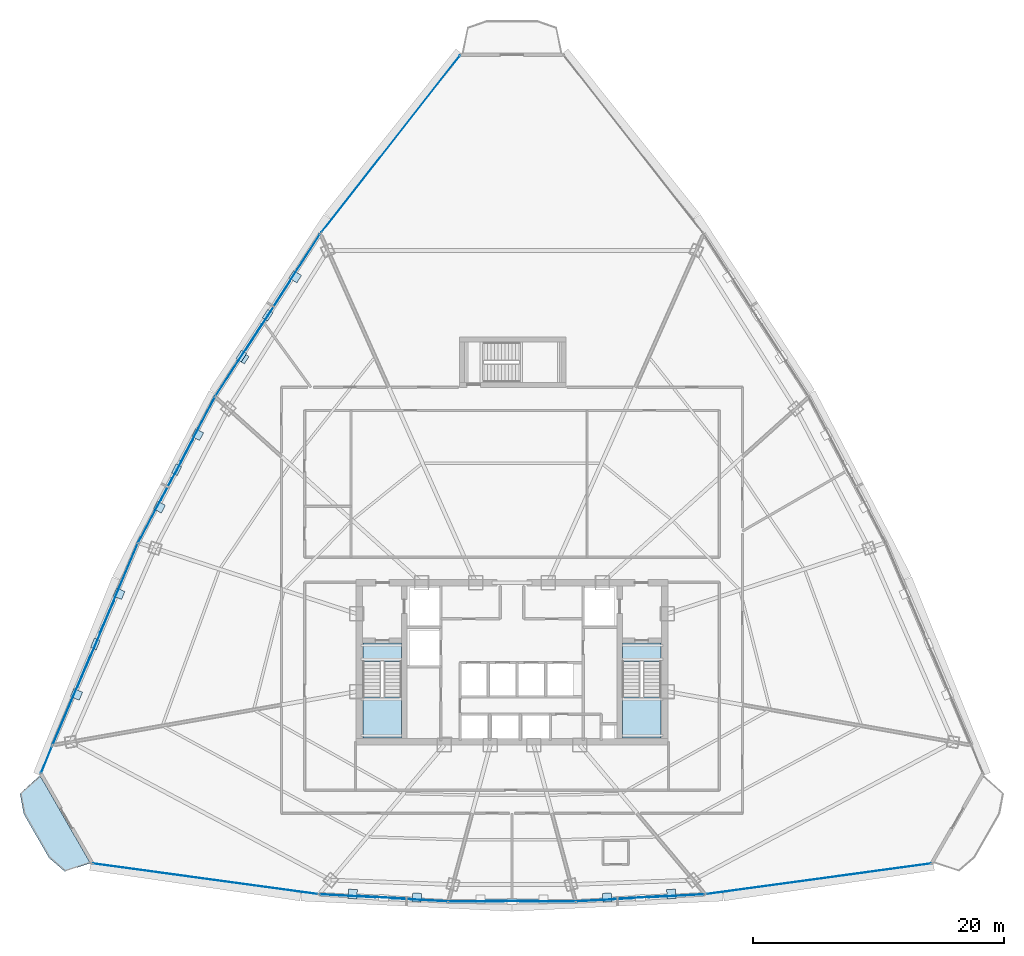
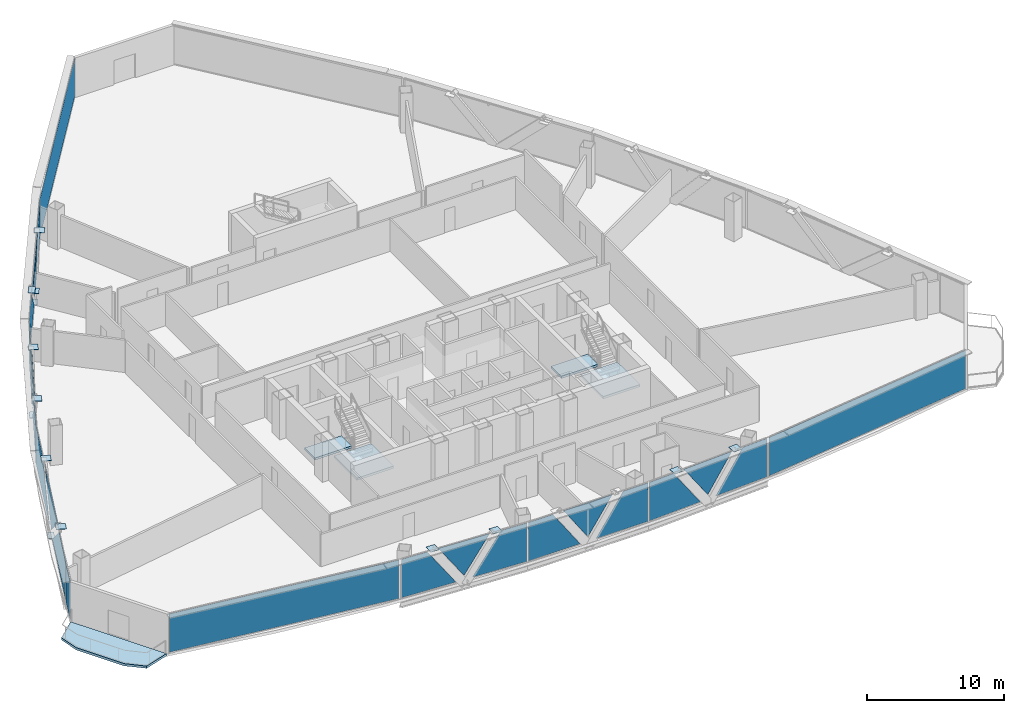
# One storey, part 27 of 36: 36 plates, 5 slabs, 12 elements without a shape of their own.
"""IFC4 building model written with IfcOpenShell, lengths in metres."""

from ifc_helpers import new_model, si_unit, direction, frame, origin, origin_2d, place, context, subcontext, project, spatial, polyline, rectangle, outline, extrude, source, transform, mapped, material, layer, layer_set, type_object, element, aggregate, save


model = new_model("IFC4")

# Units and contexts
model_context = context("Model", 3, precision=1e-05, world=origin(), true_north=direction((0.0, 1.0)))
body_context = subcontext(model_context, "Body", "Model", "MODEL_VIEW")
ifc_project = project(units=[si_unit("LENGTHUNIT", "METRE"), si_unit("AREAUNIT", "SQUARE_METRE"), si_unit("VOLUMEUNIT", "CUBIC_METRE"), si_unit("PLANEANGLEUNIT", "RADIAN"), si_unit("MASSUNIT", "GRAM", prefix="KILO"), si_unit("THERMODYNAMICTEMPERATUREUNIT", "KELVIN"), si_unit("POWERUNIT", "WATT")], contexts=[model_context])

# Site, building, storey
site_placement = place(None, origin())
site = spatial("IfcSite", under=ifc_project, at=site_placement, CompositionType="ELEMENT")
building_placement = place(site_placement, origin())
building = spatial("IfcBuilding", under=site, at=building_placement, Name="Yunzhuo Pagoda Commons", CompositionType="ELEMENT")
storey_placement = place(building_placement, frame((0.0, 0.0, 215.159912109375)))
storey = spatial("IfcBuildingStorey", under=building, at=storey_placement, Name="L54", CompositionType="ELEMENT", Elevation=215.159912109375)

# Curtain wall, plates
ifc_material_1 = material(Name="Anodized aluminium 6063-T6", Category="aluminium")
ifc_layer_1 = layer(ifc_material_1, 0.14990234375)
ifc_layer_set_1 = layer_set([ifc_layer_1], Name="Anodized aluminium 6063-T6")
curtain_wall_type = type_object("IfcCurtainWallType", Name="CW-MID Mid-Zone Ribbon Curtain Wall", PredefinedType="NOTDEFINED", material=ifc_layer_set_1)
curtain_wall_1_placement = place(storey_placement, origin())
curtain_wall_1 = element("IfcCurtainWall", 1, at=curtain_wall_1_placement, inside=storey, type_object=curtain_wall_type, Name="L54 curtain wall CW-L54-F1B2", PredefinedType="NOTDEFINED")
ifc_material_2 = material(Name="Tempered low-e double glazing", Category="glass")
ifc_layer_2 = layer(ifc_material_2, 0.028076171875)
ifc_layer_set_2 = layer_set([ifc_layer_2], Name="Tempered low-e double glazing")
plate_type_1 = type_object("IfcPlateType", Name="CW-MID-P Low-E Double Glazing 28", PredefinedType="CURTAIN_PANEL", material=ifc_layer_set_2)
plate_1_placement = place(storey_placement, frame((34.86767578125, 15.223388671875, 1.760009765625), z_axis=(-0.055641789149, -0.998450795633, 0.0), x_axis=(0.998450795633, -0.055641789149, 0.0)))
plate_1 = element("IfcPlate", 2, at=plate_1_placement, type_object=plate_type_1, Name="CW panel 1.1 lite 1", PredefinedType="CURTAIN_PANEL", context=body_context, shape_type="SweptSolid", body=[
    extrude(outline(polyline([(-2.219482421875, -1.705078125), (2.219482421875, -1.705078125), (-0.11474609375, 1.705078125), (-2.219482421875, 1.705078125), (-2.219482421875, -1.705078125)])), origin(), (0.0, 0.0, 1.0), 0.028076171875),
])
plate_2_placement = place(storey_placement, frame((37.760498046875, 15.09228515625, 1.93896484375), z_axis=(-0.055641789149, -0.998450795633, 0.0), x_axis=(0.998450795633, -0.055641789149, 0.0)))
plate_2 = element("IfcPlate", 3, at=plate_2_placement, type_object=plate_type_1, Name="CW panel 1.1 lite 2", PredefinedType="CURTAIN_PANEL", context=body_context, shape_type="SweptSolid", body=[
    extrude(outline(polyline([(-2.08935546875, 1.526123046875), (0.0, -1.526123046875), (2.08935546875, 1.526123046875), (-2.08935546875, 1.526123046875)])), origin(), (0.0, 0.0, 1.0), 0.028076171875),
])
plate_3_placement = place(storey_placement, frame((40.64990234375, 14.901123046875, 1.760009765625), z_axis=(-0.055641789149, -0.998450795633, 0.0), x_axis=(0.998450795633, -0.055641789149, 0.0)))
plate_3 = element("IfcPlate", 4, at=plate_3_placement, type_object=plate_type_1, Name="CW panel 1.1 lite 3", PredefinedType="CURTAIN_PANEL", context=body_context, shape_type="SweptSolid", body=[
    extrude(outline(polyline([(-2.219482421875, -1.705078125), (2.219482421875, -1.705078125), (2.219482421875, 1.705078125), (0.11474609375, 1.705078125), (-2.219482421875, -1.705078125)])), origin(), (0.0, 0.0, 1.0), 0.028076171875),
])
aggregate(curtain_wall_1, [plate_1, plate_2, plate_3])

curtain_wall_2_placement = place(storey_placement, origin())
curtain_wall_2 = element("IfcCurtainWall", 5, at=curtain_wall_2_placement, inside=storey, type_object=curtain_wall_type, Name="L54 curtain wall CW-L54-F1B3", PredefinedType="NOTDEFINED")
plate_4_placement = place(storey_placement, frame((45.157958984375, 14.7744140625, 1.760009765625), z_axis=(0.0, -1.0, 0.0), x_axis=(1.0, 0.0, 0.0)))
plate_4 = element("IfcPlate", 6, at=plate_4_placement, type_object=plate_type_1, Name="CW panel 1.1 lite 1", PredefinedType="CURTAIN_PANEL", context=body_context, shape_type="SweptSolid", body=[
    extrude(outline(polyline([(-2.1728515625, -1.705078125), (2.1728515625, -1.705078125), (-0.1162109375, 1.705078125), (-2.1728515625, 1.705078125), (-2.1728515625, -1.705078125)])), origin(), (0.0, 0.0, 1.0), 0.028076171875),
])
plate_5_placement = place(storey_placement, frame((48.0, 14.80419921875, 1.943603515625), z_axis=(0.0, -1.0, 0.0), x_axis=(1.0, 0.0, 0.0)))
plate_5 = element("IfcPlate", 7, at=plate_5_placement, type_object=plate_type_1, Name="CW panel 1.1 lite 2", PredefinedType="CURTAIN_PANEL", context=body_context, shape_type="SweptSolid", body=[
    extrude(outline(polyline([(-2.042724609375, 1.521484375), (0.0, -1.521484375), (2.042724609375, 1.521484375), (-2.042724609375, 1.521484375)])), origin(), (0.0, 0.0, 1.0), 0.028076171875),
])
plate_6_placement = place(storey_placement, frame((50.842041015625, 14.7744140625, 1.760009765625), z_axis=(0.0, -1.0, 0.0), x_axis=(1.0, 0.0, 0.0)))
plate_6 = element("IfcPlate", 8, at=plate_6_placement, type_object=plate_type_1, Name="CW panel 1.1 lite 3", PredefinedType="CURTAIN_PANEL", context=body_context, shape_type="SweptSolid", body=[
    extrude(outline(polyline([(-2.1728515625, -1.705078125), (2.1728515625, -1.705078125), (2.1728515625, 1.705078125), (0.1162109375, 1.705078125), (-2.1728515625, -1.705078125)])), origin(), (0.0, 0.0, 1.0), 0.028076171875),
])
aggregate(curtain_wall_2, [plate_4, plate_5, plate_6])

curtain_wall_3_placement = place(storey_placement, origin())
curtain_wall_3 = element("IfcCurtainWall", 9, at=curtain_wall_3_placement, inside=storey, type_object=curtain_wall_type, Name="L54 curtain wall CW-L54-F1B4", PredefinedType="NOTDEFINED")
plate_7_placement = place(storey_placement, frame((55.35009765625, 14.901123046875, 1.760009765625), z_axis=(0.055641789149, -0.998450795633, 0.0), x_axis=(0.998450795633, 0.055641789149, 0.0)))
plate_7 = element("IfcPlate", 10, at=plate_7_placement, type_object=plate_type_1, Name="CW panel 1.1 lite 1", PredefinedType="CURTAIN_PANEL", context=body_context, shape_type="SweptSolid", body=[
    extrude(outline(polyline([(-2.219482421875, -1.705078125), (2.219482421875, -1.705078125), (-0.11474609375, 1.705078125), (-2.219482421875, 1.705078125), (-2.219482421875, -1.705078125)])), origin(), (0.0, 0.0, 1.0), 0.028076171875),
])
plate_8_placement = place(storey_placement, frame((58.239501953125, 15.09228515625, 1.93896484375), z_axis=(0.055641789149, -0.998450795633, 0.0), x_axis=(0.998450795633, 0.055641789149, 0.0)))
plate_8 = element("IfcPlate", 11, at=plate_8_placement, type_object=plate_type_1, Name="CW panel 1.1 lite 2", PredefinedType="CURTAIN_PANEL", context=body_context, shape_type="SweptSolid", body=[
    extrude(outline(polyline([(-2.08935546875, 1.526123046875), (0.0, -1.526123046875), (2.08935546875, 1.526123046875), (-2.08935546875, 1.526123046875)])), origin(), (0.0, 0.0, 1.0), 0.028076171875),
])
plate_9_placement = place(storey_placement, frame((61.13232421875, 15.223388671875, 1.760009765625), z_axis=(0.055641789149, -0.998450795633, 0.0), x_axis=(0.998450795633, 0.055641789149, 0.0)))
plate_9 = element("IfcPlate", 12, at=plate_9_placement, type_object=plate_type_1, Name="CW panel 1.1 lite 3", PredefinedType="CURTAIN_PANEL", context=body_context, shape_type="SweptSolid", body=[
    extrude(outline(polyline([(-2.219482421875, -1.705078125), (2.219482421875, -1.705078125), (2.219482421875, 1.705078125), (0.11474609375, 1.705078125), (-2.219482421875, -1.705078125)])), origin(), (0.0, 0.0, 1.0), 0.028076171875),
])
aggregate(curtain_wall_3, [plate_7, plate_8, plate_9])

curtain_wall_4_placement = place(storey_placement, origin())
curtain_wall_4 = element("IfcCurtainWall", 13, at=curtain_wall_4_placement, inside=storey, type_object=curtain_wall_type, Name="L54 curtain wall CW-L54-F3B2", PredefinedType="NOTDEFINED")
plate_10_placement = place(storey_placement, frame((30.831787109375, 65.135986328125, 1.760009765625), z_axis=(-0.840138139518, 0.542372479508, 0.0), x_axis=(-0.542372479508, -0.840138139518, 0.0)))
plate_10 = element("IfcPlate", 14, at=plate_10_placement, type_object=plate_type_1, Name="CW panel 1.1 lite 1", PredefinedType="CURTAIN_PANEL", context=body_context, shape_type="SweptSolid", body=[
    extrude(outline(polyline([(-3.410400390625, -1.705078125), (3.410400390625, -1.705078125), (-0.084228515625, 1.705078125), (-3.410400390625, 1.705078125), (-3.410400390625, -1.705078125)])), origin(), (0.0, 0.0, 1.0), 0.028076171875),
])
plate_11_placement = place(storey_placement, frame((28.537109375, 61.5263671875, 1.8681640625), z_axis=(-0.840138139518, 0.542372479508, 0.0), x_axis=(-0.542372479508, -0.840138139518, 0.0)))
plate_11 = element("IfcPlate", 15, at=plate_11_placement, type_object=plate_type_1, Name="CW panel 1.1 lite 2", PredefinedType="CURTAIN_PANEL", context=body_context, shape_type="SweptSolid", body=[
    extrude(outline(polyline([(-3.273193359375, 1.596923828125), (0.0, -1.596923828125), (3.273193359375, 1.596923828125), (-3.273193359375, 1.596923828125)])), origin(), (0.0, 0.0, 1.0), 0.028076171875),
])
plate_12_placement = place(storey_placement, frame((26.192138671875, 57.94921875, 1.760009765625), z_axis=(-0.840138139518, 0.542372479508, 0.0), x_axis=(-0.542372479508, -0.840138139518, 0.0)))
plate_12 = element("IfcPlate", 16, at=plate_12_placement, type_object=plate_type_1, Name="CW panel 1.1 lite 3", PredefinedType="CURTAIN_PANEL", context=body_context, shape_type="SweptSolid", body=[
    extrude(outline(polyline([(-3.410400390625, -1.705078125), (3.410400390625, -1.705078125), (3.410400390625, 1.705078125), (0.084228515625, 1.705078125), (-3.410400390625, -1.705078125)])), origin(), (0.0, 0.0, 1.0), 0.028076171875),
])
aggregate(curtain_wall_4, [plate_10, plate_11, plate_12])

curtain_wall_5_placement = place(storey_placement, origin())
curtain_wall_5 = element("IfcCurtainWall", 17, at=curtain_wall_5_placement, inside=storey, type_object=curtain_wall_type, Name="L54 curtain wall CW-L54-F3B3", PredefinedType="NOTDEFINED")
plate_13_placement = place(storey_placement, frame((22.94384765625, 52.440673828125, 1.760009765625), z_axis=(-0.884704570243, 0.466152146184, 0.0), x_axis=(-0.466152146184, -0.884704570243, 0.0)))
plate_13 = element("IfcPlate", 18, at=plate_13_placement, type_object=plate_type_1, Name="CW panel 1.1 lite 1", PredefinedType="CURTAIN_PANEL", context=body_context, shape_type="SweptSolid", body=[
    extrude(outline(polyline([(-2.8720703125, -1.705078125), (2.8720703125, -1.705078125), (-0.096923828125, 1.705078125), (-2.8720703125, 1.705078125), (-2.8720703125, -1.705078125)])), origin(), (0.0, 0.0, 1.0), 0.028076171875),
])
plate_14_placement = place(storey_placement, frame((21.26904296875, 49.197509765625, 1.89208984375), z_axis=(-0.884704570243, 0.466152146184, 0.0), x_axis=(-0.466152146184, -0.884704570243, 0.0)))
plate_14 = element("IfcPlate", 19, at=plate_14_placement, type_object=plate_type_1, Name="CW panel 1.1 lite 2", PredefinedType="CURTAIN_PANEL", context=body_context, shape_type="SweptSolid", body=[
    extrude(outline(polyline([(-2.7392578125, 1.572998046875), (0.0, -1.572998046875), (2.7392578125, 1.572998046875), (-2.7392578125, 1.572998046875)])), origin(), (0.0, 0.0, 1.0), 0.028076171875),
])
plate_15_placement = place(storey_placement, frame((19.541015625, 45.982421875, 1.760009765625), z_axis=(-0.884704570243, 0.466152146184, 0.0), x_axis=(-0.466152146184, -0.884704570243, 0.0)))
plate_15 = element("IfcPlate", 20, at=plate_15_placement, type_object=plate_type_1, Name="CW panel 1.1 lite 3", PredefinedType="CURTAIN_PANEL", context=body_context, shape_type="SweptSolid", body=[
    extrude(outline(polyline([(-2.8720703125, -1.705078125), (2.8720703125, -1.705078125), (2.8720703125, 1.705078125), (0.0966796875, 1.705078125), (-2.8720703125, -1.705078125)])), origin(), (0.0, 0.0, 1.0), 0.028076171875),
])
aggregate(curtain_wall_5, [plate_13, plate_14, plate_15])

curtain_wall_6_placement = place(storey_placement, origin())
curtain_wall_6 = element("IfcCurtainWall", 21, at=curtain_wall_6_placement, inside=storey, type_object=curtain_wall_type, Name="L54 curtain wall CW-L54-F3B4", PredefinedType="NOTDEFINED")
plate_16_placement = place(storey_placement, frame((16.638427734375, 39.7578125, 1.760009765625), z_axis=(-0.920979205321, 0.389611734123, 0.0), x_axis=(-0.389611734123, -0.920979205321, 0.0)))
plate_16 = element("IfcPlate", 22, at=plate_16_placement, type_object=plate_type_1, Name="CW panel 1.1 lite 1", PredefinedType="CURTAIN_PANEL", context=body_context, shape_type="SweptSolid", body=[
    extrude(outline(polyline([(-3.88330078125, -1.705078125), (3.88330078125, -1.705078125), (-0.07470703125, 1.705078125), (-3.88330078125, 1.705078125), (-3.88330078125, -1.705078125)])), origin(), (0.0, 0.0, 1.0), 0.028076171875),
])
plate_17_placement = place(storey_placement, frame((14.783935546875, 35.297119140625, 1.853271484375), z_axis=(-0.920979205321, 0.389611734123, 0.0), x_axis=(-0.389611734123, -0.920979205321, 0.0)))
plate_17 = element("IfcPlate", 23, at=plate_17_placement, type_object=plate_type_1, Name="CW panel 1.1 lite 2", PredefinedType="CURTAIN_PANEL", context=body_context, shape_type="SweptSolid", body=[
    extrude(outline(polyline([(-3.7412109375, 1.61181640625), (0.0, -1.61181640625), (3.7412109375, 1.61181640625), (-3.7412109375, 1.61181640625)])), origin(), (0.0, 0.0, 1.0), 0.028076171875),
])
plate_18_placement = place(storey_placement, frame((12.8740234375, 30.859375, 1.760009765625), z_axis=(-0.920979205321, 0.389611734123, 0.0), x_axis=(-0.389611734123, -0.920979205321, 0.0)))
plate_18 = element("IfcPlate", 24, at=plate_18_placement, type_object=plate_type_1, Name="CW panel 1.1 lite 3", PredefinedType="CURTAIN_PANEL", context=body_context, shape_type="SweptSolid", body=[
    extrude(outline(polyline([(-3.88330078125, -1.705078125), (3.88330078125, -1.705078125), (3.88330078125, 1.705078125), (0.074462890625, 1.705078125), (-3.88330078125, -1.705078125)])), origin(), (0.0, 0.0, 1.0), 0.028076171875),
])
aggregate(curtain_wall_6, [plate_16, plate_17, plate_18])

# Slab
ifc_material_3 = material(Name="Concrete C40", Category="concrete")
ifc_layer_3 = layer(ifc_material_3, 0.199951171875)
ifc_layer_set_3 = layer_set([ifc_layer_3], Name="Concrete C40")
slab_type_1 = type_object("IfcSlabType", Name="SL-BAL Vertex Balcony Deck Slab 200", PredefinedType="FLOOR", material=ifc_layer_set_3)
slab_1_placement = place(storey_placement, frame((0.0, 0.0, -0.199951171875)))
element("IfcSlab", 25, at=slab_1_placement, inside=storey, type_object=slab_type_1, Name="L54 corner balcony V1", PredefinedType="FLOOR", context=body_context, shape_type="SweptSolid", body=[
    extrude(outline(polyline([(10.322998046875, 24.81298828125), (14.3427734375, 17.8125), (12.3017578125, 17.159423828125), (11.0439453125, 18.24560546875), (9.0341796875, 21.745849609375), (8.730224609375, 23.379638671875), (10.322998046875, 24.81298828125)])), origin(), (0.0, 0.0, 1.0), 0.199951171875),
])

# Stair, slabs
stair_type_1 = type_object("IfcStairType", Name="ST-C1 Core Smokeproof Stair ST1", PredefinedType="HALF_TURN_STAIR", material=ifc_material_3)
stair_1_placement = place(storey_placement, origin())
stair_1 = element("IfcStair", 26, at=stair_1_placement, inside=storey, type_object=stair_type_1, Name="L54 Core smokeproof stair ST1", PredefinedType="HALF_TURN_STAIR")
ifc_layer_4 = layer(ifc_material_3, 0.199951171875)
ifc_layer_set_4 = layer_set([ifc_layer_4], Name="Concrete C40")
slab_type_2 = type_object("IfcSlabType", Name="SL-LND1 Stair Landing Slab 200", PredefinedType="LANDING", material=ifc_layer_set_4)
slab_2_placement = place(storey_placement, frame((0.0, 0.0, 1.7001953125)))
slab_2 = element("IfcSlab", 27, at=slab_2_placement, type_object=slab_type_2, Name="ST1 landing 1", PredefinedType="LANDING", context=body_context, shape_type="SweptSolid", body=[
    extrude(outline(polyline([(36.10009765625, 31.10009765625), (36.10009765625, 27.800048828125), (39.199951171875, 27.800048828125), (39.199951171875, 31.10009765625), (36.10009765625, 31.10009765625)])), origin(), (0.0, 0.0, 1.0), 0.199951171875),
])
slab_3_placement = place(storey_placement, frame((0.0, 0.0, -0.199951171875)))
slab_3 = element("IfcSlab", 28, at=slab_3_placement, type_object=slab_type_2, Name="ST1 floor landing L54", PredefinedType="LANDING", context=body_context, shape_type="SweptSolid", body=[
    extrude(outline(polyline([(36.10009765625, 35.39990234375), (36.10009765625, 33.89990234375), (39.199951171875, 33.89990234375), (39.199951171875, 35.39990234375), (36.10009765625, 35.39990234375)])), origin(), (0.0, 0.0, 1.0), 0.199951171875),
])
aggregate(stair_1, [slab_2, slab_3])

stair_type_2 = type_object("IfcStairType", Name="ST-C2 Core Smokeproof Stair ST2", PredefinedType="HALF_TURN_STAIR", material=ifc_material_3)
stair_2_placement = place(storey_placement, origin())
stair_2 = element("IfcStair", 29, at=stair_2_placement, inside=storey, type_object=stair_type_2, Name="L54 Core smokeproof stair ST2", PredefinedType="HALF_TURN_STAIR")
ifc_layer_5 = layer(ifc_material_3, 0.201904296875)
ifc_layer_set_5 = layer_set([ifc_layer_5], Name="Concrete C40")
slab_type_3 = type_object("IfcSlabType", Name="SL-LND2 Stair Landing Slab 202", PredefinedType="LANDING", material=ifc_layer_set_5)
slab_4_placement = place(storey_placement, frame((0.0, 0.0, 1.7001953125)))
slab_4 = element("IfcSlab", 30, at=slab_4_placement, type_object=slab_type_3, Name="ST2 landing 1", PredefinedType="LANDING", context=body_context, shape_type="SweptSolid", body=[
    extrude(outline(polyline([(56.800048828125, 31.10009765625), (56.800048828125, 27.800048828125), (59.89990234375, 27.800048828125), (59.89990234375, 31.10009765625), (56.800048828125, 31.10009765625)])), origin(), (0.0, 0.0, 1.0), 0.199951171875),
])
slab_5_placement = place(storey_placement, frame((0.0, 0.0, -0.199951171875)))
slab_5 = element("IfcSlab", 31, at=slab_5_placement, type_object=slab_type_3, Name="ST2 floor landing L54", PredefinedType="LANDING", context=body_context, shape_type="SweptSolid", body=[
    extrude(outline(polyline([(56.800048828125, 35.39990234375), (56.800048828125, 33.89990234375), (59.89990234375, 33.89990234375), (59.89990234375, 35.39990234375), (56.800048828125, 35.39990234375)])), origin(), (0.0, 0.0, 1.0), 0.199951171875),
])
aggregate(stair_2, [slab_4, slab_5])

# Plates
ifc_material_4 = material(Name="Structural steel Q355B", Category="steel")
ifc_layer_6 = layer(ifc_material_4, 0.028076171875)
ifc_layer_set_6 = layer_set([ifc_layer_6], Name="Structural steel Q355B")
plate_type_2 = type_object("IfcPlateType", Name="SP-ND1 Lattice Node Cap Plate 800x500x28", PredefinedType="USERDEFINED", material=ifc_layer_set_6)
shared_shape_1 = source(origin(), body_context, "Body", "SweptSolid", [
    extrude(rectangle(XDim=0.800048828125, YDim=0.5, at=origin_2d()), origin(), (0.0, 0.0, 1.0), 0.028076171875),
])
for number, where, z_axis, x_axis, name in (
    (32, (28.500244140625, 61.55029296875, -0.27392578125), (0.0, 0.0, 1.0), (-0.542368222605, -0.840140887654, 0.0), "L54 diamond node plate F3.1A"),
    (33, (21.22998046875, 49.218017578125, -0.27392578125), (0.0, 0.0, 1.0), (-0.466155041602, -0.884703044636, 0.0), "L54 diamond node plate F3.2A"),
    (34, (14.7431640625, 35.314208984375, -0.27392578125), (0.0, 0.0, 1.0), (-0.389606228328, -0.920981534477, 0.0), "L54 diamond node plate F3.3A"),
):
    element("IfcPlate", number, at=place(storey_placement, frame(where, z_axis=z_axis, x_axis=x_axis)), inside=storey, type_object=plate_type_2, Name=name, ObjectType="STIFFENER_PLATE", PredefinedType="USERDEFINED", context=body_context, shape_type="MappedRepresentation", body=[
        mapped(shared_shape_1, transform((0.0, 0.0, 0.0), scale=1.0)),
    ])
ifc_layer_7 = layer(ifc_material_4, 0.028076171875)
ifc_layer_set_7 = layer_set([ifc_layer_7], Name="Structural steel Q355B")
plate_type_3 = type_object("IfcPlateType", Name="EP-DL1 Diamond Brace End Plate 800x500x28", PredefinedType="USERDEFINED", material=ifc_layer_set_7)
plate_19_placement = place(storey_placement, frame((26.399169921875, 58.295654296875, 3.51806640625), z_axis=(0.0, 0.0, 1.0), x_axis=(-0.542368222605, -0.840140887654, 0.0)))
element("IfcPlate", 35, at=plate_19_placement, inside=storey, type_object=plate_type_3, Name="L54 diamond brace end plate F3.1R", ObjectType="END_PLATE", PredefinedType="USERDEFINED", context=body_context, shape_type="MappedRepresentation", body=[
    mapped(shared_shape_1, transform((0.0, 0.0, 0.0), scale=1.0)),
])
shared_shape_2 = source(origin(), body_context, "Body", "SweptSolid", [
    extrude(rectangle(XDim=0.699951171875, YDim=0.749267578125, at=origin_2d()), origin(), (0.0, 0.0, 1.0), 0.035888671875),
])
for number, where, z_axis, x_axis, name in (
    (36, (35.2880859375, 15.3564453125, 3.48193359375), (0.0, 0.0, 1.0), (0.998450491665, -0.055647243357, 0.0), "L54 setback lattice tie plate F1.1L"),
    (37, (60.7119140625, 15.3564453125, 3.48193359375), (0.0, 0.0, 1.0), (0.998450491665, 0.055647243357, 0.0), "L54 setback lattice tie plate F1.3R"),
):
    element("IfcPlate", number, at=place(storey_placement, frame(where, z_axis=z_axis, x_axis=x_axis)), inside=storey, type_object=plate_type_2, Name=name, ObjectType="STIFFENER_PLATE", PredefinedType="USERDEFINED", context=body_context, shape_type="MappedRepresentation", body=[
        mapped(shared_shape_2, transform((0.0, 0.0, 0.0), scale=1.0)),
    ])
shared_shape_3 = source(origin(), body_context, "Body", "SweptSolid", [
    extrude(rectangle(XDim=0.699951171875, YDim=0.711181640625, at=origin_2d()), origin(), (0.0, 0.0, 1.0), 0.035888671875),
])
for number, where, z_axis, x_axis, name in (
    (38, (40.40966796875, 15.071533203125, 3.48193359375), (0.0, 0.0, 1.0), (0.998450491665, -0.055647243357, 0.0), "L54 setback lattice tie plate F1.1R"),
    (39, (55.59033203125, 15.071533203125, 3.48193359375), (0.0, 0.0, 1.0), (0.998450491665, 0.055647243357, 0.0), "L54 setback lattice tie plate F1.3L"),
):
    element("IfcPlate", number, at=place(storey_placement, frame(where, z_axis=z_axis, x_axis=x_axis)), inside=storey, type_object=plate_type_2, Name=name, ObjectType="STIFFENER_PLATE", PredefinedType="USERDEFINED", context=body_context, shape_type="MappedRepresentation", body=[
        mapped(shared_shape_3, transform((0.0, 0.0, 0.0), scale=1.0)),
    ])
shared_shape_4 = source(origin(), body_context, "Body", "SweptSolid", [
    extrude(rectangle(XDim=0.699951171875, YDim=0.763427734375, at=origin_2d()), origin(), (0.0, 0.0, 1.0), 0.035888671875),
])
plate_20_placement = place(storey_placement, frame((13.239990234375, 31.288330078125, 3.48193359375), z_axis=(0.0, 0.0, 1.0), x_axis=(-0.389606228328, -0.920981534477, 0.0)))
element("IfcPlate", 40, at=plate_20_placement, inside=storey, type_object=plate_type_2, Name="L54 setback lattice tie plate F3.3R", ObjectType="STIFFENER_PLATE", PredefinedType="USERDEFINED", context=body_context, shape_type="MappedRepresentation", body=[
    mapped(shared_shape_4, transform((0.0, 0.0, 0.0), scale=1.0)),
])
shared_shape_5 = source(origin(), body_context, "Body", "SweptSolid", [
    extrude(rectangle(XDim=0.699951171875, YDim=0.72314453125, at=origin_2d()), origin(), (0.0, 0.0, 1.0), 0.035888671875),
])
plate_21_placement = place(storey_placement, frame((16.63623046875, 39.322265625, 3.48193359375), z_axis=(0.0, 0.0, 1.0), x_axis=(-0.389606228328, -0.920981534477, 0.0)))
element("IfcPlate", 41, at=plate_21_placement, inside=storey, type_object=plate_type_2, Name="L54 setback lattice tie plate F3.3L", ObjectType="STIFFENER_PLATE", PredefinedType="USERDEFINED", context=body_context, shape_type="MappedRepresentation", body=[
    mapped(shared_shape_5, transform((0.0, 0.0, 0.0), scale=1.0)),
])
shared_shape_6 = source(origin(), body_context, "Body", "SweptSolid", [
    extrude(rectangle(XDim=0.699951171875, YDim=0.70703125, at=origin_2d()), origin(), (0.0, 0.0, 1.0), 0.035888671875),
])
plate_22_placement = place(storey_placement, frame((19.859130859375, 46.234130859375, 3.48193359375), z_axis=(0.0, 0.0, 1.0), x_axis=(-0.466155041602, -0.884703044636, 0.0)))
element("IfcPlate", 42, at=plate_22_placement, inside=storey, type_object=plate_type_2, Name="L54 setback lattice tie plate F3.2R", ObjectType="STIFFENER_PLATE", PredefinedType="USERDEFINED", context=body_context, shape_type="MappedRepresentation", body=[
    mapped(shared_shape_6, transform((0.0, 0.0, 0.0), scale=1.0)),
])
shared_shape_7 = source(origin(), body_context, "Body", "SweptSolid", [
    extrude(rectangle(XDim=0.699951171875, YDim=0.7080078125, at=origin_2d()), origin(), (0.0, 0.0, 1.0), 0.035888671875),
])
plate_23_placement = place(storey_placement, frame((22.90869140625, 52.024169921875, 3.48193359375), z_axis=(0.0, 0.0, 1.0), x_axis=(-0.466155041602, -0.884703044636, 0.0)))
element("IfcPlate", 43, at=plate_23_placement, inside=storey, type_object=plate_type_2, Name="L54 setback lattice tie plate F3.2L", ObjectType="STIFFENER_PLATE", PredefinedType="USERDEFINED", context=body_context, shape_type="MappedRepresentation", body=[
    mapped(shared_shape_7, transform((0.0, 0.0, 0.0), scale=1.0)),
])
shared_shape_8 = source(origin(), body_context, "Body", "SweptSolid", [
    extrude(rectangle(XDim=0.699951171875, YDim=0.72216796875, at=origin_2d()), origin(), (0.0, 0.0, 1.0), 0.035888671875),
])
plate_24_placement = place(storey_placement, frame((26.522216796875, 58.156005859375, 3.48193359375), z_axis=(0.0, 0.0, 1.0), x_axis=(-0.542368222605, -0.840140887654, 0.0)))
element("IfcPlate", 44, at=plate_24_placement, inside=storey, type_object=plate_type_2, Name="L54 setback lattice tie plate F3.1R", ObjectType="STIFFENER_PLATE", PredefinedType="USERDEFINED", context=body_context, shape_type="MappedRepresentation", body=[
    mapped(shared_shape_8, transform((0.0, 0.0, 0.0), scale=1.0)),
])
shared_shape_9 = source(origin(), body_context, "Body", "SweptSolid", [
    extrude(rectangle(XDim=0.699951171875, YDim=0.75146484375, at=origin_2d()), origin(), (0.0, 0.0, 1.0), 0.035888671875),
])
plate_25_placement = place(storey_placement, frame((30.699462890625, 64.629638671875, 3.48193359375), z_axis=(0.0, 0.0, 1.0), x_axis=(-0.542368222605, -0.840140887654, 0.0)))
element("IfcPlate", 45, at=plate_25_placement, inside=storey, type_object=plate_type_2, Name="L54 setback lattice tie plate F3.1L", ObjectType="STIFFENER_PLATE", PredefinedType="USERDEFINED", context=body_context, shape_type="MappedRepresentation", body=[
    mapped(shared_shape_9, transform((0.0, 0.0, 0.0), scale=1.0)),
])

# Curtain wall, plate
curtain_wall_7_placement = place(storey_placement, origin())
curtain_wall_7 = element("IfcCurtainWall", 46, at=curtain_wall_7_placement, inside=storey, type_object=curtain_wall_type, Name="L54 curtain wall CW-L54-F1B1", PredefinedType="NOTDEFINED")
shared_shape_10 = source(origin(), body_context, "Body", "SweptSolid", [
    extrude(rectangle(XDim=18.0556640625, YDim=0.028076171875, at=origin_2d()), origin(), (0.0, 0.0, 1.0), 3.409912109375),
])
plate_26_placement = place(storey_placement, frame((23.511962890625, 16.57177734375, 0.05517578125), z_axis=(0.0, 0.0, 1.0), x_axis=(0.990867460252, -0.134839446061, 0.0)))
plate_26 = element("IfcPlate", 47, at=plate_26_placement, type_object=plate_type_1, Name="CW panel 1.1", PredefinedType="CURTAIN_PANEL", context=body_context, shape_type="MappedRepresentation", body=[
    mapped(shared_shape_10, transform((0.0, 0.0, 0.0), scale=1.0)),
])
aggregate(curtain_wall_7, [plate_26])

curtain_wall_8_placement = place(storey_placement, origin())
curtain_wall_8 = element("IfcCurtainWall", 48, at=curtain_wall_8_placement, inside=storey, type_object=curtain_wall_type, Name="L54 curtain wall CW-L54-F1B5", PredefinedType="NOTDEFINED")
plate_27_placement = place(storey_placement, frame((72.488037109375, 16.57177734375, 0.05517578125), z_axis=(0.0, 0.0, 1.0), x_axis=(0.990867460252, 0.134839446061, 0.0)))
plate_27 = element("IfcPlate", 49, at=plate_27_placement, type_object=plate_type_1, Name="CW panel 1.1", PredefinedType="CURTAIN_PANEL", context=body_context, shape_type="MappedRepresentation", body=[
    mapped(shared_shape_10, transform((0.0, 0.0, 0.0), scale=1.0)),
])
aggregate(curtain_wall_8, [plate_27])

curtain_wall_9_placement = place(storey_placement, origin())
curtain_wall_9 = element("IfcCurtainWall", 50, at=curtain_wall_9_placement, inside=storey, type_object=curtain_wall_type, Name="L54 curtain wall CW-L54-F3B5", PredefinedType="NOTDEFINED")
shared_shape_11 = source(origin(), body_context, "Body", "SweptSolid", [
    extrude(rectangle(XDim=2.25927734375, YDim=0.028076171875, at=origin_2d()), origin(), (0.0, 0.0, 1.0), 3.409912109375),
])
plate_28_placement = place(storey_placement, frame((10.844482421875, 26.063232421875, 0.05517578125), z_axis=(0.0, 0.0, 1.0), x_axis=(-0.379679953183, -0.925117902297, 0.0)))
plate_28 = element("IfcPlate", 51, at=plate_28_placement, type_object=plate_type_1, Name="CW panel 1.1", PredefinedType="CURTAIN_PANEL", context=body_context, shape_type="MappedRepresentation", body=[
    mapped(shared_shape_11, transform((0.0, 0.0, 0.0), scale=1.0)),
])
aggregate(curtain_wall_9, [plate_28])

curtain_wall_10_placement = place(storey_placement, origin())
curtain_wall_10 = element("IfcCurtainWall", 52, at=curtain_wall_10_placement, inside=storey, type_object=curtain_wall_type, Name="L54 curtain wall CW-L54-F3B1", PredefinedType="NOTDEFINED")
shared_shape_12 = source(origin(), body_context, "Body", "SweptSolid", [
    extrude(rectangle(XDim=17.94091796875, YDim=0.028076171875, at=origin_2d()), origin(), (0.0, 0.0, 1.0), 3.409912109375),
])
plate_29_placement = place(storey_placement, frame((38.31689453125, 75.2275390625, 0.05517578125), z_axis=(0.0, 0.0, 1.0), x_axis=(-0.616633666547, -0.78725022787, 0.0)))
plate_29 = element("IfcPlate", 53, at=plate_29_placement, type_object=plate_type_1, Name="CW panel 1.1", PredefinedType="CURTAIN_PANEL", context=body_context, shape_type="MappedRepresentation", body=[
    mapped(shared_shape_12, transform((0.0, 0.0, 0.0), scale=1.0)),
])
aggregate(curtain_wall_10, [plate_29])

save(model, "model.ifc")
